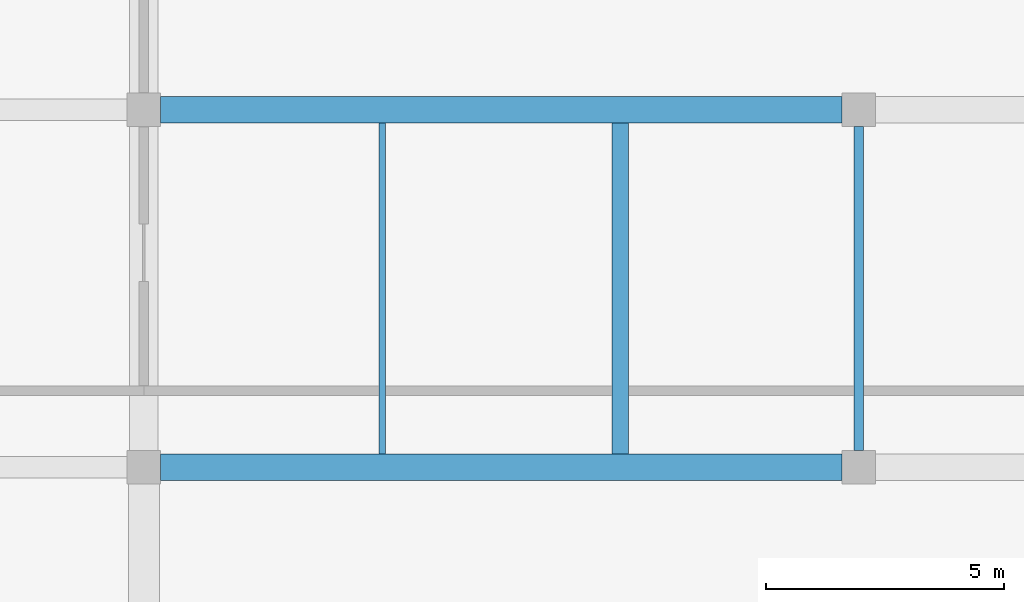
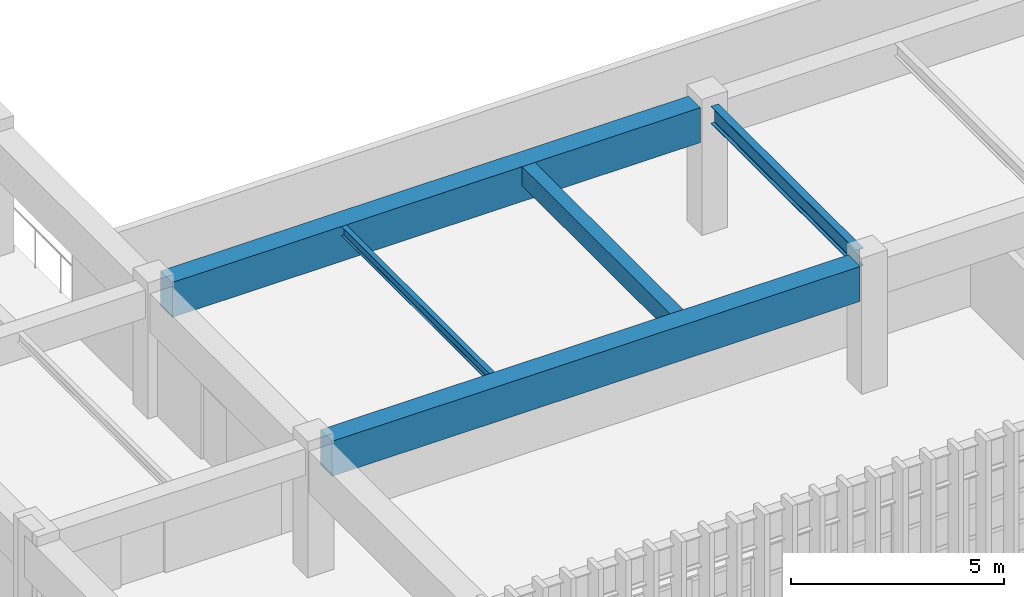
# One storey, part 28 of 82: 5 beams.
"""IFC4 building model written with IfcOpenShell, lengths in metres."""

from ifc_helpers import new_model, si_unit, direction, frame, origin, origin_2d, place, context, subcontext, project, spatial, rectangle, i_section, extrude, material, material_profile, profile_set, type_object, element, save


model = new_model("IFC4")

# Units and contexts
model_context = context("Model", 3, precision=1e-05, world=origin(), true_north=direction((0.0, 1.0)))
body_context = subcontext(model_context, "Body", "Model", "MODEL_VIEW")
ifc_project = project(units=[si_unit("LENGTHUNIT", "METRE"), si_unit("AREAUNIT", "SQUARE_METRE"), si_unit("VOLUMEUNIT", "CUBIC_METRE"), si_unit("PLANEANGLEUNIT", "RADIAN"), si_unit("MASSUNIT", "GRAM", prefix="KILO")], contexts=[model_context])

# Site, building, storey
site_placement = place(None, origin())
site = spatial("IfcSite", under=ifc_project, at=site_placement, CompositionType="ELEMENT")
building_placement = place(site_placement, origin())
building = spatial("IfcBuilding", under=site, at=building_placement, Name="Qasida Concert Hall", CompositionType="ELEMENT")
storey_placement = place(building_placement, frame((0.0, 0.0, 17.10009765625)))
storey = spatial("IfcBuildingStorey", under=building, at=storey_placement, Name="L04", CompositionType="ELEMENT", Elevation=17.10009765625)

# Beams
ifc_material_1 = material(Name="Steel S355J2", Category="steel")
ifc_material_profile_1 = material_profile(ifc_material_1, i_section(OverallWidth=0.199951171875, OverallDepth=0.5, WebThickness=0.01025390625, FlangeThickness=0.01611328125, FilletRadius=0.02099609375, at=origin_2d()), Name="IPE 500")
ifc_profile_set_1 = profile_set([ifc_material_profile_1], Name="Steel S355J2")
beam_type_1 = type_object("IfcBeamType", Name="BM-B4", PredefinedType="BEAM", material=ifc_profile_set_1)
beam_1_placement = place(storey_placement, frame((75.0, 22.85009765625, 3.369873046875), z_axis=(0.0, 1.0, 0.0), x_axis=(-1.0, 0.0, 0.0)))
element("IfcBeam", 1, at=beam_1_placement, inside=storey, type_object=beam_type_1, Name="L04 girder 1852", PredefinedType="BEAM", context=body_context, shape_type="SweptSolid", body=[
    extrude(i_section(OverallWidth=0.199951171875, OverallDepth=0.5, WebThickness=0.01025390625, FlangeThickness=0.01611328125, FilletRadius=0.02099609375, at=origin_2d()), origin(), (0.0, 0.0, 1.0), 6.7998046875),
])
ifc_material_2 = material(Name="Concrete C40/50", Category="concrete")
ifc_material_profile_2 = material_profile(ifc_material_2, rectangle(XDim=0.550048828125, YDim=1.0, at=origin_2d()), Name="RC 550x1000")
ifc_profile_set_2 = profile_set([ifc_material_profile_2], Name="Concrete C40/50")
beam_type_2 = type_object("IfcBeamType", Name="BM-G3", PredefinedType="USERDEFINED", material=ifc_profile_set_2)
for number, where, z_axis, x_axis, name in (
    (2, (60.35009765625, 22.5, 3.119873046875), (1.0, 0.0, 0.0), (0.0, 1.0, 0.0), "Primary girder 1806"),
    (3, (60.35009765625, 30.0, 3.119873046875), (1.0, 0.0, 0.0), (0.0, 1.0, 0.0), "Primary girder 1811"),
):
    element("IfcBeam", number, at=place(storey_placement, frame(where, z_axis=z_axis, x_axis=x_axis)), inside=storey, type_object=beam_type_2, Name=name, ObjectType="GIRDER", PredefinedType="USERDEFINED", context=body_context, shape_type="SweptSolid", body=[
        extrude(rectangle(XDim=0.550048828125, YDim=1.0, at=origin_2d()), origin(), (0.0, 0.0, 1.0), 14.2998046875),
    ])
ifc_material_profile_3 = material_profile(ifc_material_1, i_section(OverallWidth=0.135009765625, OverallDepth=0.27001953125, WebThickness=0.006591796875, FlangeThickness=0.01025390625, FilletRadius=0.014892578125, at=origin_2d()), Name="IPE 270")
ifc_profile_set_3 = profile_set([ifc_material_profile_3], Name="Steel S355J2")
beam_type_3 = type_object("IfcBeamType", Name="BM-J6", PredefinedType="JOIST", material=ifc_profile_set_3)
beam_2_placement = place(storey_placement, frame((65.0, 22.77490234375, 3.48486328125), z_axis=(0.0, 1.0, 0.0), x_axis=(-1.0, 0.0, 0.0)))
element("IfcBeam", 4, at=beam_2_placement, inside=storey, type_object=beam_type_3, Name="L04 secondary joist 1877", PredefinedType="JOIST", context=body_context, shape_type="SweptSolid", body=[
    extrude(i_section(OverallWidth=0.135009765625, OverallDepth=0.27001953125, WebThickness=0.006591796875, FlangeThickness=0.01025390625, FilletRadius=0.014892578125, at=origin_2d()), origin(), (0.0, 0.0, 1.0), 6.9501953125),
])
ifc_material_profile_4 = material_profile(ifc_material_2, rectangle(XDim=0.35009765625, YDim=0.550048828125, at=origin_2d()), Name="RC 350x550")
ifc_profile_set_4 = profile_set([ifc_material_profile_4], Name="Concrete C40/50")
beam_type_4 = type_object("IfcBeamType", Name="BM-J8", PredefinedType="JOIST", material=ifc_profile_set_4)
beam_3_placement = place(storey_placement, frame((70.0, 22.77490234375, 3.344970703125), z_axis=(0.0, 1.0, 0.0), x_axis=(-1.0, 0.0, 0.0)))
element("IfcBeam", 5, at=beam_3_placement, inside=storey, type_object=beam_type_4, Name="L04 secondary joist 1878", PredefinedType="JOIST", context=body_context, shape_type="SweptSolid", body=[
    extrude(rectangle(XDim=0.35009765625, YDim=0.550048828125, at=origin_2d()), origin(), (0.0, 0.0, 1.0), 6.9501953125),
])

save(model, "model.ifc")
